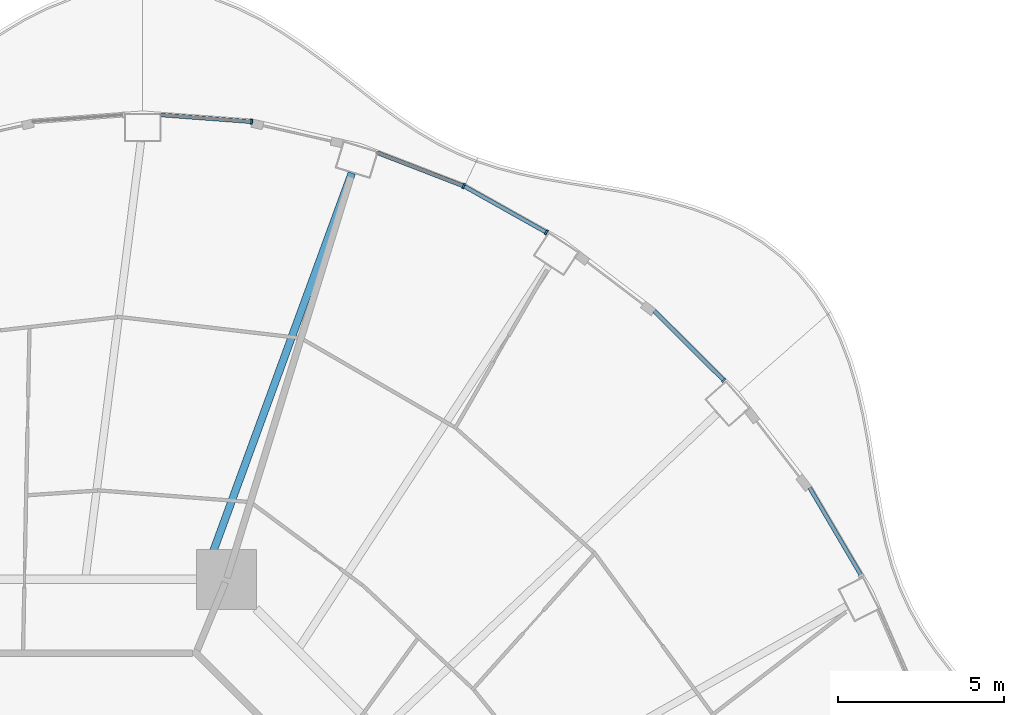
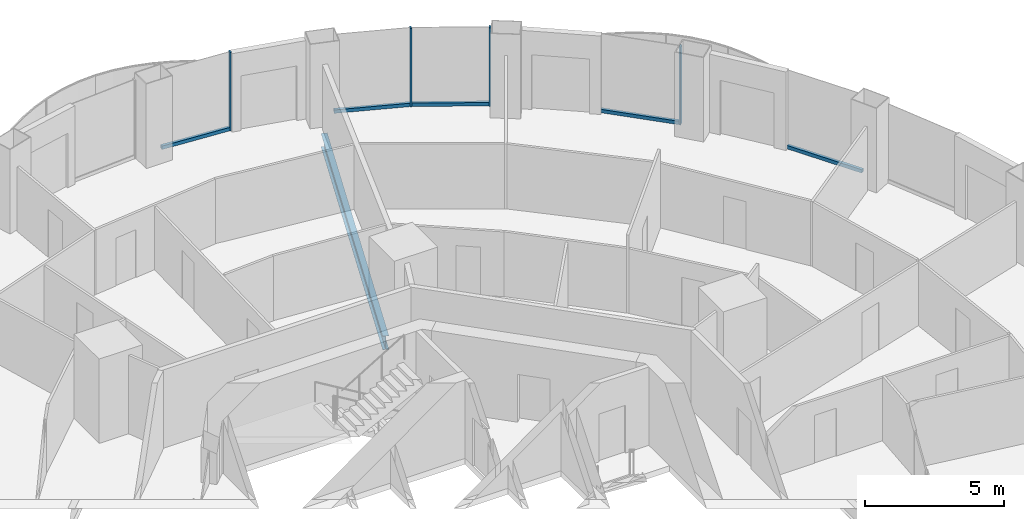
# One storey, part 9 of 20: 9 members, 1 beam, 5 elements without a shape of their own.
"""IFC4 building model written with IfcOpenShell, lengths in metres."""

from ifc_helpers import new_model, si_unit, direction, frame, origin, origin_2d, place, context, subcontext, project, spatial, rectangle, i_section, extrude, material, layer, layer_set, material_profile, profile_set, type_object, element, aggregate, save


model = new_model("IFC4")

# Units and contexts
model_context = context("Model", 3, precision=1e-05, world=origin(), true_north=direction((0.0, 1.0)))
body_context = subcontext(model_context, "Body", "Model", "MODEL_VIEW")
ifc_project = project(units=[si_unit("LENGTHUNIT", "METRE"), si_unit("AREAUNIT", "SQUARE_METRE"), si_unit("VOLUMEUNIT", "CUBIC_METRE"), si_unit("PLANEANGLEUNIT", "RADIAN"), si_unit("MASSUNIT", "GRAM", prefix="KILO")], contexts=[model_context])

# Site, building, storey
site_placement = place(None, origin())
site = spatial("IfcSite", under=ifc_project, at=site_placement, CompositionType="ELEMENT")
building_placement = place(site_placement, origin())
building = spatial("IfcBuilding", under=site, at=building_placement, Name="Nagisa Residences", CompositionType="ELEMENT")
storey_placement = place(building_placement, frame((0.0, 0.0, 165.89990234375)))
storey = spatial("IfcBuildingStorey", under=building, at=storey_placement, Name="L41", CompositionType="ELEMENT", Elevation=165.89990234375)

# Curtain wall, member
ifc_material_1 = material(Name="Concrete-coloured aluminium curtain wall system", Category="concrete")
ifc_layer = layer(ifc_material_1, 0.159912109375)
ifc_layer_set = layer_set([ifc_layer], Name="CW1 CURTAIN WALL")
curtain_wall_type = type_object("IfcCurtainWallType", Name="CW1 CURTAIN WALL", PredefinedType="NOTDEFINED", material=ifc_layer_set)
curtain_wall_1_placement = place(storey_placement, origin())
curtain_wall_1 = element("IfcCurtainWall", 1, at=curtain_wall_1_placement, inside=storey, type_object=curtain_wall_type, Name="cw:CW1:L41:06", PredefinedType="NOTDEFINED")
ifc_material_2 = material(Name="Concrete-coloured aluminium", Category="concrete")
ifc_material_profile_1 = material_profile(ifc_material_2, rectangle(XDim=0.159912109375, YDim=0.06005859375, at=origin_2d()), Name="CW1 MULLION 160x60")
ifc_profile_set_1 = profile_set([ifc_material_profile_1], Name="Concrete-coloured aluminium")
member_type_1 = type_object("IfcMemberType", Name="CW1 MULLION 160x60", PredefinedType="MULLION", material=ifc_profile_set_1)
member_1_placement = place(storey_placement, frame((21.07568359375, 20.770751953125, 0.0), z_axis=(0.0, 0.0, 1.0), x_axis=(-0.706376885714, -0.707835924016, 0.0)))
member_1 = element("IfcMember", 2, at=member_1_placement, type_object=member_type_1, Name="CW1 mullion", PredefinedType="MULLION", context=body_context, shape_type="SweptSolid", body=[
    extrude(rectangle(XDim=0.159912109375, YDim=0.06005859375, at=origin_2d()), origin(), (0.0, 0.0, 1.0), 3.440185546875),
])

curtain_wall_2_placement = place(storey_placement, origin())
curtain_wall_2 = element("IfcCurtainWall", 3, at=curtain_wall_2_placement, inside=storey, type_object=curtain_wall_type, Name="cw:CW1:L41:08", PredefinedType="NOTDEFINED")
member_2_placement = place(storey_placement, frame((15.742431640625, 25.220458984375, 0.0), z_axis=(0.0, 0.0, 1.0), x_axis=(-0.489376918501, -0.872072377523, 0.0)))
member_2 = element("IfcMember", 4, at=member_2_placement, type_object=member_type_1, Name="CW1 mullion", PredefinedType="MULLION", context=body_context, shape_type="SweptSolid", body=[
    extrude(rectangle(XDim=0.159912109375, YDim=0.06005859375, at=origin_2d()), origin(), (0.0, 0.0, 1.0), 3.440185546875),
])

curtain_wall_3_placement = place(storey_placement, origin())
curtain_wall_3 = element("IfcCurtainWall", 5, at=curtain_wall_3_placement, inside=storey, type_object=curtain_wall_type, Name="cw:CW1:L41:09", PredefinedType="NOTDEFINED")
member_3_placement = place(storey_placement, frame((13.253662109375, 26.61328125, 0.0), z_axis=(0.0, 0.0, 1.0), x_axis=(-0.360327770268, -0.932825759707, 0.0)))
member_3 = element("IfcMember", 6, at=member_3_placement, type_object=member_type_1, Name="CW1 mullion", PredefinedType="MULLION", context=body_context, shape_type="SweptSolid", body=[
    extrude(rectangle(XDim=0.159912109375, YDim=0.06005859375, at=origin_2d()), origin(), (0.0, 0.0, 1.0), 3.440185546875),
])

curtain_wall_4_placement = place(storey_placement, origin())
curtain_wall_4 = element("IfcCurtainWall", 7, at=curtain_wall_4_placement, inside=storey, type_object=curtain_wall_type, Name="cw:CW1:L41:11", PredefinedType="NOTDEFINED")
member_4_placement = place(storey_placement, frame((6.876220703125, 28.550537109375, 0.0), z_axis=(0.0, 0.0, 1.0), x_axis=(-0.074377355493, -0.997230168512, 0.0)))
member_4 = element("IfcMember", 8, at=member_4_placement, type_object=member_type_1, Name="CW1 mullion", PredefinedType="MULLION", context=body_context, shape_type="SweptSolid", body=[
    extrude(rectangle(XDim=0.159912109375, YDim=0.06005859375, at=origin_2d()), origin(), (0.0, 0.0, 1.0), 3.440185546875),
])

curtain_wall_5_placement = place(storey_placement, origin())
curtain_wall_5 = element("IfcCurtainWall", 9, at=curtain_wall_5_placement, inside=storey, type_object=curtain_wall_type, Name="cw:CW1:L41:04", PredefinedType="NOTDEFINED")
ifc_material_3 = material(Name="Concrete-coloured aluminium", Category="concrete")
ifc_material_profile_2 = material_profile(ifc_material_3, rectangle(XDim=0.1201171875, YDim=0.14990234375, at=origin_2d()), Name="CW1 TRANSOM 120x150")
ifc_profile_set_2 = profile_set([ifc_material_profile_2], Name="Concrete-coloured aluminium")
member_type_2 = type_object("IfcMemberType", Name="CW1 TRANSOM 120x150", PredefinedType="USERDEFINED", material=ifc_profile_set_2)
member_5_placement = place(storey_placement, frame((25.22802734375, 14.871337890625, 0.0751953125), z_axis=(-0.506367803691, 0.862317602386, 0.0), x_axis=(-0.862317602386, -0.506367803691, 0.0)))
member_5 = element("IfcMember", 10, at=member_5_placement, type_object=member_type_2, Name="CW1 transom", ObjectType="TRANSOM", PredefinedType="USERDEFINED", context=body_context, shape_type="SweptSolid", body=[
    extrude(rectangle(XDim=0.1201171875, YDim=0.14990234375, at=origin_2d()), origin(), (0.0, 0.0, 1.0), 3.092041015625),
])
aggregate(curtain_wall_5, [member_5])

# Member
member_6_placement = place(storey_placement, frame((21.096923828125, 20.74951171875, 0.0751953125), z_axis=(-0.707803821372, 0.706409053206, 0.0), x_axis=(-0.706409053206, -0.707803821372, 0.0)))
member_6 = element("IfcMember", 11, at=member_6_placement, type_object=member_type_2, Name="CW1 transom", ObjectType="TRANSOM", PredefinedType="USERDEFINED", context=body_context, shape_type="SweptSolid", body=[
    extrude(rectangle(XDim=0.1201171875, YDim=0.14990234375, at=origin_2d()), origin(), (0.0, 0.0, 1.0), 2.9755859375),
])

aggregate(curtain_wall_1, [member_1, member_6])

member_7_placement = place(storey_placement, frame((15.768798828125, 25.205810546875, 0.0751953125), z_axis=(-0.872078262455, 0.489366431371, 0.0), x_axis=(-0.489366431371, -0.872078262455, 0.0)))
member_7 = element("IfcMember", 12, at=member_7_placement, type_object=member_type_2, Name="CW1 transom", ObjectType="TRANSOM", PredefinedType="USERDEFINED", context=body_context, shape_type="SweptSolid", body=[
    extrude(rectangle(XDim=0.1201171875, YDim=0.14990234375, at=origin_2d()), origin(), (0.0, 0.0, 1.0), 2.863525390625),
])

aggregate(curtain_wall_2, [member_2, member_7])

member_8_placement = place(storey_placement, frame((13.28173828125, 26.602294921875, 0.0751953125), z_axis=(-0.932795487898, 0.360406128911, 0.0), x_axis=(-0.360406128911, -0.932795487898, 0.0)))
member_8 = element("IfcMember", 13, at=member_8_placement, type_object=member_type_2, Name="CW1 transom", ObjectType="TRANSOM", PredefinedType="USERDEFINED", context=body_context, shape_type="SweptSolid", body=[
    extrude(rectangle(XDim=0.1201171875, YDim=0.14990234375, at=origin_2d()), origin(), (0.0, 0.0, 1.0), 2.8193359375),
])

aggregate(curtain_wall_3, [member_3, member_8])

member_9_placement = place(storey_placement, frame((6.90625, 28.548095703125, 0.0751953125), z_axis=(-0.997225528735, 0.074439538143, 0.0), x_axis=(-0.074439538143, -0.997225528735, 0.0)))
member_9 = element("IfcMember", 14, at=member_9_placement, type_object=member_type_2, Name="CW1 transom", ObjectType="TRANSOM", PredefinedType="USERDEFINED", context=body_context, shape_type="SweptSolid", body=[
    extrude(rectangle(XDim=0.1201171875, YDim=0.14990234375, at=origin_2d()), origin(), (0.0, 0.0, 1.0), 2.771240234375),
])

aggregate(curtain_wall_4, [member_4, member_9])

# Beam
ifc_material_4 = material(Name="Steel ASTM A572 Gr 50", Category="steel")
ifc_material_profile_3 = material_profile(ifc_material_4, i_section(OverallWidth=0.22802734375, OverallDepth=0.60302734375, WebThickness=0.010498046875, FlangeThickness=0.014892578125, at=origin_2d()), Name="W610x101")
ifc_profile_set_3 = profile_set([ifc_material_profile_3], Name="Steel ASTM A572 Gr 50")
beam_type = type_object("IfcBeamType", Name="Radial beam W610x101", PredefinedType="BEAM", material=ifc_profile_set_3)
beam_placement = place(storey_placement, frame((9.889892578125, 27.003662109375, -0.5615234375), z_axis=(-0.343895391511, -0.939007965726, 0.0), x_axis=(0.939007965726, -0.343895391511, 0.0)))
element("IfcBeam", 15, at=beam_placement, inside=storey, type_object=beam_type, Name="beam:L41:rb06", PredefinedType="BEAM", context=body_context, shape_type="SweptSolid", body=[
    extrude(i_section(OverallWidth=0.22802734375, OverallDepth=0.60302734375, WebThickness=0.010498046875, FlangeThickness=0.014892578125, at=origin_2d()), origin(), (0.0, 0.0, 1.0), 12.900146484375),
])

save(model, "model.ifc")
